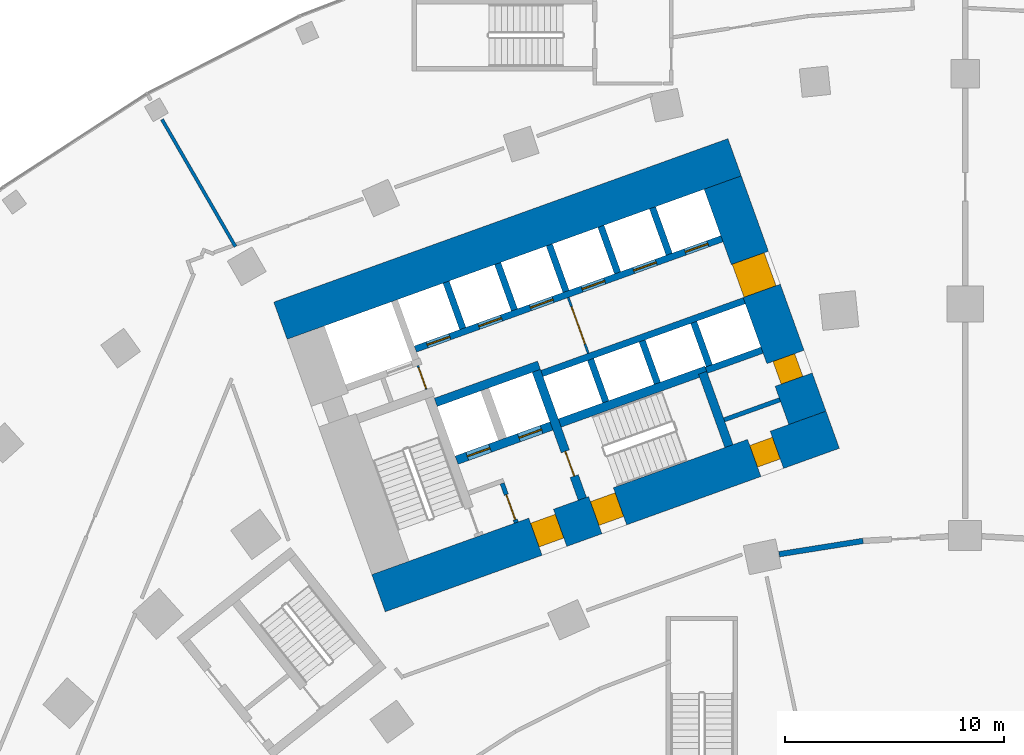
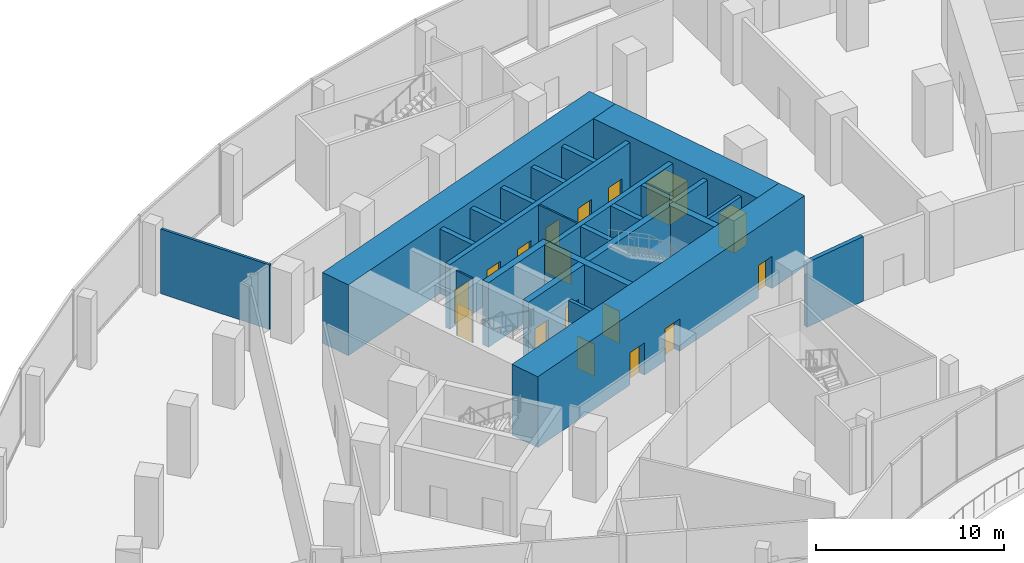
# One storey, part 24 of 39: 24 walls, 17 doors, 17 openings.
"""IFC4 building model written with IfcOpenShell, lengths in metres."""

from ifc_helpers import new_model, si_unit, direction, frame, frame_2d, origin, place, context, subcontext, project, spatial, rectangle, extrude, material, layer, layer_set, type_object, element, fill, save


model = new_model("IFC4")

# Units and contexts
model_context = context("Model", 3, precision=1e-05, world=origin(), true_north=direction((0.0, 1.0)))
body_context = subcontext(model_context, "Body", "Model", "MODEL_VIEW")
ifc_project = project(units=[si_unit("LENGTHUNIT", "METRE"), si_unit("AREAUNIT", "SQUARE_METRE"), si_unit("VOLUMEUNIT", "CUBIC_METRE"), si_unit("PLANEANGLEUNIT", "RADIAN"), si_unit("MASSUNIT", "GRAM", prefix="KILO")], contexts=[model_context])

# Site, building, storey
site_placement = place(None, origin())
site = spatial("IfcSite", under=ifc_project, at=site_placement, CompositionType="ELEMENT")
building_placement = place(site_placement, origin())
building = spatial("IfcBuilding", under=site, at=building_placement, Name="Stone Belt Terrace Tower", CompositionType="ELEMENT")
storey_placement = place(building_placement, frame((0.0, 0.0, 20.800048828125)))
storey = spatial("IfcBuildingStorey", under=building, at=storey_placement, Name="L04", CompositionType="ELEMENT", Elevation=20.800048828125)

# Wall, opening, door
ifc_material_1 = material(Name="Plasterboard partition")
ifc_layer_1 = layer(ifc_material_1, 0.10009765625)
ifc_layer_set_1 = layer_set([ifc_layer_1], Name="Core partition 100")
wall_type_1 = type_object("IfcWallType", Name="Core partition 100", PredefinedType="PARTITIONING", material=ifc_layer_set_1)
wall_1_placement = place(storey_placement, frame((-24.555908203125, 51.10400390625, 0.0), z_axis=(0.0, 0.0, 1.0), x_axis=(-0.338621735342, 0.94092258999, 0.0)))
wall_1 = element("IfcWall", 1, at=wall_1_placement, inside=storey, type_object=wall_type_1, Name="Core A wall", PredefinedType="PARTITIONING", context=body_context, shape_type="SweptSolid", body=[
    extrude(rectangle(XDim=1.14990234375, YDim=0.10009765625, at=frame_2d((0.574951171875, 0.0))), origin(), (0.0, 0.0, 1.0), 4.199951171875),
])
opening_1_placement = place(wall_1_placement, frame((0.050048828125, 0.0, 0.0)))
opening_1 = element("IfcOpeningElement", 2, at=opening_1_placement, cuts=wall_1, Name="Opening L04-C02", PredefinedType="OPENING", context=body_context, shape_type="SweptSolid", body=[
    extrude(rectangle(XDim=1.0, YDim=2.10009765625, at=frame_2d((0.5, 1.050048828125))), frame((0.0, 0.06005859375, 0.0), z_axis=(0.0, -1.0, 0.0), x_axis=(1.0, 0.0, 0.0)), (0.0, 0.0, 1.0), 0.1201171875),
])
ifc_material_2 = material(Name="Timber door leaf", Category="wood")
door_type_1 = type_object("IfcDoorType", Name="Core room door 1000", OperationType="SINGLE_SWING_LEFT", PredefinedType="DOOR", material=ifc_material_2)
door_1_placement = place(opening_1_placement, origin())
door_1 = element("IfcDoor", 3, at=door_1_placement, inside=storey, type_object=door_type_1, Name="Service lift lobby door core A", OperationType="SINGLE_SWING_LEFT", OverallHeight=2.10009765625, OverallWidth=1.0, PredefinedType="DOOR", context=body_context, shape_type="SweptSolid", body=[
    extrude(rectangle(XDim=1.0, YDim=2.10009765625, at=frame_2d((0.5, 1.050048828125))), frame((0.0, 0.02490234375, 0.0), z_axis=(0.0, -1.0, 0.0), x_axis=(1.0, 0.0, 0.0)), (0.0, 0.0, 1.0), 0.050048828125),
])
fill(opening_1, door_1)

wall_2_placement = place(storey_placement, frame((-17.17724609375, 52.749755859375, 0.0), z_axis=(0.0, 0.0, 1.0), x_axis=(-0.338546555931, 0.940949642365, 0.0)))
wall_2 = element("IfcWall", 4, at=wall_2_placement, inside=storey, type_object=wall_type_1, Name="Core A wall", PredefinedType="PARTITIONING", context=body_context, shape_type="SweptSolid", body=[
    extrude(rectangle(XDim=2.699951171875, YDim=0.10009765625, at=frame_2d((1.35009765625, 0.0))), origin(), (0.0, 0.0, 1.0), 4.199951171875),
])
opening_2_placement = place(wall_2_placement, frame((0.449951171875, 0.0, 0.0)))
opening_2 = element("IfcOpeningElement", 5, at=opening_2_placement, cuts=wall_2, Name="Opening L04-C03", PredefinedType="OPENING", context=body_context, shape_type="SweptSolid", body=[
    extrude(rectangle(XDim=1.800048828125, YDim=2.10009765625, at=frame_2d((0.89990234375, 1.050048828125))), frame((0.0, 0.06005859375, 0.0), z_axis=(0.0, -1.0, 0.0), x_axis=(1.0, 0.0, 0.0)), (0.0, 0.0, 1.0), 0.1201171875),
])
ifc_material_3 = material(Name="Glazed aluminium door leaf", Category="aluminium")
door_type_2 = type_object("IfcDoorType", Name="Lift lobby entrance door 1800", OperationType="DOUBLE_DOOR_SINGLE_SWING", PredefinedType="DOOR", material=ifc_material_3)
door_2_placement = place(opening_2_placement, origin())
door_2 = element("IfcDoor", 6, at=door_2_placement, inside=storey, type_object=door_type_2, Name="Lift lobby double door core A", OperationType="DOUBLE_DOOR_SINGLE_SWING", OverallHeight=2.10009765625, OverallWidth=1.800048828125, PredefinedType="DOOR", context=body_context, shape_type="SweptSolid", body=[
    extrude(rectangle(XDim=1.800048828125, YDim=2.10009765625, at=frame_2d((0.89990234375, 1.050048828125))), frame((0.0, 0.02490234375, 0.0), z_axis=(0.0, -1.0, 0.0), x_axis=(1.0, 0.0, 0.0)), (0.0, 0.0, 1.0), 0.050048828125),
])
fill(opening_2, door_2)

# Wall, openings, doors
ifc_material_4 = material(Name="Concrete B80", Category="concrete")
ifc_layer_2 = layer(ifc_material_4, 1.800048828125)
ifc_layer_set_2 = layer_set([ifc_layer_2], Name="Core wall 1800 B80")
wall_type_2 = type_object("IfcWallType", Name="Core wall 1800 B80", PredefinedType="SHEAR", material=ifc_layer_set_2)
wall_3_placement = place(storey_placement, frame((-26.739501953125, 41.815673828125, 0.0), z_axis=(0.0, 0.0, 1.0), x_axis=(0.940921642213, 0.338624368902, 0.0)))
wall_3 = element("IfcWall", 7, at=wall_3_placement, inside=storey, type_object=wall_type_2, Name="Core A wall concave L04", PredefinedType="SHEAR", context=body_context, shape_type="SweptSolid", body=[
    extrude(rectangle(XDim=22.0, YDim=1.800048828125, at=frame_2d((11.0, 0.0))), origin(), (0.0, 0.0, 1.0), 4.599853515625),
])
opening_3_placement = place(wall_3_placement, frame((7.60009765625, 0.0, 0.0)))
opening_3 = element("IfcOpeningElement", 8, at=opening_3_placement, cuts=wall_3, Name="Opening L04-C07", PredefinedType="OPENING", context=body_context, shape_type="SweptSolid", body=[
    extrude(rectangle(XDim=1.199951171875, YDim=2.10009765625, at=frame_2d((0.60009765625, 1.050048828125))), frame((0.0, 0.909912109375, 0.0), z_axis=(0.0, -1.0, 0.0), x_axis=(1.0, 0.0, 0.0)), (0.0, 0.0, 1.0), 1.820068359375),
])
opening_4_placement = place(wall_3_placement, frame((10.5, 0.0, 0.0)))
opening_4 = element("IfcOpeningElement", 9, at=opening_4_placement, cuts=wall_3, Name="Opening L04-C09", PredefinedType="OPENING", context=body_context, shape_type="SweptSolid", body=[
    extrude(rectangle(XDim=1.199951171875, YDim=2.10009765625, at=frame_2d((0.60009765625, 1.050048828125))), frame((0.0, 0.909912109375, 0.0), z_axis=(0.0, -1.0, 0.0), x_axis=(1.0, 0.0, 0.0)), (0.0, 0.0, 1.0), 1.820068359375),
])
opening_5_placement = place(wall_3_placement, frame((18.199951171875, 0.0, 0.0)))
opening_5 = element("IfcOpeningElement", 10, at=opening_5_placement, cuts=wall_3, Name="Opening L04-C11", PredefinedType="OPENING", context=body_context, shape_type="SweptSolid", body=[
    extrude(rectangle(XDim=1.10009765625, YDim=2.10009765625, at=frame_2d((0.550048828125, 1.050048828125))), frame((0.0, 0.909912109375, 0.0), z_axis=(0.0, -1.0, 0.0), x_axis=(1.0, 0.0, 0.0)), (0.0, 0.0, 1.0), 1.820068359375),
])
door_type_3 = type_object("IfcDoorType", Name="Core room door 1100", OperationType="SINGLE_SWING_LEFT", PredefinedType="DOOR", material=ifc_material_2)
door_3_placement = place(opening_5_placement, origin())
door_3 = element("IfcDoor", 11, at=door_3_placement, inside=storey, type_object=door_type_3, Name="Door to Pipe riser core A", OperationType="SINGLE_SWING_LEFT", OverallHeight=2.10009765625, OverallWidth=1.10009765625, PredefinedType="DOOR", context=body_context, shape_type="SweptSolid", body=[
    extrude(rectangle(XDim=1.10009765625, YDim=2.10009765625, at=frame_2d((0.550048828125, 1.050048828125))), frame((0.0, 0.60498046875, 0.0), z_axis=(0.0, -1.0, 0.0), x_axis=(1.0, 0.0, 0.0)), (0.0, 0.0, 1.0), 1.050048828125),
])
fill(opening_5, door_3)
ifc_material_5 = material(Name="Steel door leaf", Category="steel")
door_type_4 = type_object("IfcDoorType", Name="Fire-fighting lobby door 1200", OperationType="SINGLE_SWING_LEFT", PredefinedType="DOOR", material=ifc_material_5)
door_4_placement = place(opening_3_placement, origin())
door_4 = element("IfcDoor", 12, at=door_4_placement, inside=storey, type_object=door_type_4, Name="Fire-fighting lobby door core A", OperationType="SINGLE_SWING_LEFT", OverallHeight=2.10009765625, OverallWidth=1.199951171875, PredefinedType="DOOR", context=body_context, shape_type="SweptSolid", body=[
    extrude(rectangle(XDim=1.199951171875, YDim=2.10009765625, at=frame_2d((0.60009765625, 1.050048828125))), frame((0.0, 0.655029296875, 0.0), z_axis=(0.0, -1.0, 0.0), x_axis=(1.0, 0.0, 0.0)), (0.0, 0.0, 1.0), 1.14990234375),
])
fill(opening_3, door_4)
door_type_5 = type_object("IfcDoorType", Name="Stair door 1200", OperationType="SINGLE_SWING_LEFT", PredefinedType="DOOR", material=ifc_material_5)
door_5_placement = place(opening_4_placement, origin())
door_5 = element("IfcDoor", 13, at=door_5_placement, inside=storey, type_object=door_type_5, Name="Stair 2 exit door core A", OperationType="SINGLE_SWING_RIGHT", OverallHeight=2.10009765625, OverallWidth=1.199951171875, PredefinedType="DOOR", context=body_context, shape_type="SweptSolid", body=[
    extrude(rectangle(XDim=1.199951171875, YDim=2.10009765625, at=frame_2d((0.60009765625, 1.050048828125))), frame((0.0, 0.655029296875, 0.0), z_axis=(0.0, -1.0, 0.0), x_axis=(1.0, 0.0, 0.0)), (0.0, 0.0, 1.0), 1.14990234375),
])
fill(opening_4, door_5)

# Wall
wall_4_placement = place(storey_placement, frame((-31.20947265625, 54.23583984375, 0.0), z_axis=(0.0, 0.0, 1.0), x_axis=(0.940922914687, 0.338620833112, 0.0)))
element("IfcWall", 14, at=wall_4_placement, inside=storey, type_object=wall_type_2, Name="Core A wall convex L04", PredefinedType="SHEAR", context=body_context, shape_type="SweptSolid", body=[
    extrude(rectangle(XDim=22.000244140625, YDim=1.800048828125, at=frame_2d((11.0, 0.0))), origin(), (0.0, 0.0, 1.0), 4.599853515625),
])

# Wall, openings, doors
wall_5_placement = place(storey_placement, frame((-7.19091796875, 49.8076171875, 0.0), z_axis=(0.0, 0.0, 1.0), x_axis=(-0.338632255135, 0.940918804033, 0.0)))
wall_5 = element("IfcWall", 15, at=wall_5_placement, inside=storey, type_object=wall_type_2, Name="Core A wall end_b L04", PredefinedType="SHEAR", context=body_context, shape_type="SweptSolid", body=[
    extrude(rectangle(XDim=11.39990234375, YDim=1.800048828125, at=frame_2d((5.699951171875, 0.0))), origin(), (0.0, 0.0, 1.0), 4.599853515625),
])
opening_6_placement = place(wall_5_placement, frame((6.14990234375, 0.0, 0.0)))
opening_6 = element("IfcOpeningElement", 16, at=opening_6_placement, cuts=wall_5, Name="Opening L04-C04", PredefinedType="OPENING", context=body_context, shape_type="SweptSolid", body=[
    extrude(rectangle(XDim=1.60009765625, YDim=2.10009765625, at=frame_2d((0.800048828125, 1.050048828125))), frame((0.0, 0.909912109375, 0.0), z_axis=(0.0, -1.0, 0.0), x_axis=(1.0, 0.0, 0.0)), (0.0, 0.0, 1.0), 1.820068359375),
])
opening_7_placement = place(wall_5_placement, frame((1.85009765625, 0.0, 0.0)))
opening_7 = element("IfcOpeningElement", 17, at=opening_7_placement, cuts=wall_5, Name="Opening L04-C10", PredefinedType="OPENING", context=body_context, shape_type="SweptSolid", body=[
    extrude(rectangle(XDim=1.10009765625, YDim=2.10009765625, at=frame_2d((0.550048828125, 1.050048828125))), frame((0.0, 0.909912109375, 0.0), z_axis=(0.0, -1.0, 0.0), x_axis=(1.0, 0.0, 0.0)), (0.0, 0.0, 1.0), 1.820068359375),
])
door_6_placement = place(opening_7_placement, origin())
door_6 = element("IfcDoor", 18, at=door_6_placement, inside=storey, type_object=door_type_3, Name="Door to Accessible WC core A", OperationType="SINGLE_SWING_RIGHT", OverallHeight=2.10009765625, OverallWidth=1.10009765625, PredefinedType="DOOR", context=body_context, shape_type="SweptSolid", body=[
    extrude(rectangle(XDim=1.10009765625, YDim=2.10009765625, at=frame_2d((0.550048828125, 1.050048828125))), frame((0.0, 0.60498046875, 0.0), z_axis=(0.0, -1.0, 0.0), x_axis=(1.0, 0.0, 0.0)), (0.0, 0.0, 1.0), 1.050048828125),
])
fill(opening_7, door_6)
door_type_6 = type_object("IfcDoorType", Name="Lift lobby entrance door 1600", OperationType="DOUBLE_DOOR_SINGLE_SWING", PredefinedType="DOOR", material=ifc_material_3)
door_7_placement = place(opening_6_placement, origin())
door_7 = element("IfcDoor", 19, at=door_7_placement, inside=storey, type_object=door_type_6, Name="Lift lobby entrance door core A", OperationType="DOUBLE_DOOR_SINGLE_SWING", OverallHeight=2.10009765625, OverallWidth=1.60009765625, PredefinedType="DOOR", context=body_context, shape_type="SweptSolid", body=[
    extrude(rectangle(XDim=1.60009765625, YDim=2.10009765625, at=frame_2d((0.800048828125, 1.050048828125))), frame((0.0, 0.85498046875, 0.0), z_axis=(0.0, -1.0, 0.0), x_axis=(1.0, 0.0, 0.0)), (0.0, 0.0, 1.0), 1.550048828125),
])
fill(opening_6, door_7)

# Walls
ifc_layer_3 = layer(ifc_material_4, 0.39990234375)
ifc_layer_set_3 = layer_set([ifc_layer_3], Name="Fire-fighting lift shaft wall 400")
wall_type_3 = type_object("IfcWallType", Name="Fire-fighting lift shaft wall 400", PredefinedType="SHEAR", material=ifc_layer_set_3)
wall_6_placement = place(storey_placement, frame((-24.130615234375, 50.512939453125, 0.0), z_axis=(0.0, 0.0, 1.0), x_axis=(0.94091168377, 0.338652038744, 0.0)))
element("IfcWall", 20, at=wall_6_placement, inside=storey, type_object=wall_type_3, Name="Core A wall", PredefinedType="SHEAR", context=body_context, shape_type="SweptSolid", body=[
    extrude(rectangle(XDim=5.000244140625, YDim=0.39990234375, at=frame_2d((2.5, 0.0))), origin(), (0.0, 0.0, 1.0), 4.199951171875),
])
ifc_material_6 = material(Name="Fire-resistant glazing in steel frame", Category="steel")
ifc_layer_4 = layer(ifc_material_6, 0.25)
ifc_layer_set_4 = layer_set([ifc_layer_4], Name="Glazed compartment fire screen 250")
wall_type_4 = type_object("IfcWallType", Name="Glazed compartment fire screen 250", PredefinedType="PARTITIONING", material=ifc_layer_set_4)
wall_7_placement = place(storey_placement, frame((-8.4794921875, 43.5908203125, 0.0), z_axis=(0.0, 0.0, 1.0), x_axis=(0.98758230791, 0.157102466888, 0.0)))
element("IfcWall", 21, at=wall_7_placement, inside=storey, type_object=wall_type_4, Name="Compartment fire screen L04 2", PredefinedType="PARTITIONING", context=body_context, shape_type="SweptSolid", body=[
    extrude(rectangle(XDim=3.87109375, YDim=0.25, at=frame_2d((1.935546875, 0.0))), origin(), (0.0, 0.0, 1.0), 4.199951171875),
])

# Wall, openings, doors
ifc_layer_5 = layer(ifc_material_4, 0.300048828125)
ifc_layer_set_5 = layer_set([ifc_layer_5], Name="Lift shaft wall 300")
wall_type_5 = type_object("IfcWallType", Name="Lift shaft wall 300", PredefinedType="SHEAR", material=ifc_layer_set_5)
wall_8_placement = place(storey_placement, frame((-25.05810546875, 52.9423828125, 0.0), z_axis=(0.0, 0.0, 1.0), x_axis=(0.940918215764, 0.338633889685, 0.0)))
wall_8 = element("IfcWall", 22, at=wall_8_placement, inside=storey, type_object=wall_type_5, Name="Core A wall", PredefinedType="SHEAR", context=body_context, shape_type="SweptSolid", body=[
    extrude(rectangle(XDim=14.850341796875, YDim=0.300048828125, at=frame_2d((7.42529296875, 0.0))), origin(), (0.0, 0.0, 1.0), 4.199951171875),
])
opening_8_placement = place(wall_8_placement, frame((0.570068359375, 0.0, 0.0)))
opening_8 = element("IfcOpeningElement", 23, at=opening_8_placement, cuts=wall_8, Name="Opening L04-LD01", PredefinedType="OPENING", context=body_context, shape_type="SweptSolid", body=[
    extrude(rectangle(XDim=1.10009765625, YDim=2.199951171875, at=frame_2d((0.550048828125, 1.10009765625))), frame((0.0, 0.159912109375, 0.0), z_axis=(0.0, -1.0, 0.0), x_axis=(1.0, 0.0, 0.0)), (0.0, 0.0, 1.0), 0.320068359375),
])
opening_9_placement = place(wall_8_placement, frame((3.070068359375, 0.0, 0.0)))
opening_9 = element("IfcOpeningElement", 24, at=opening_9_placement, cuts=wall_8, Name="Opening L04-LD02", PredefinedType="OPENING", context=body_context, shape_type="SweptSolid", body=[
    extrude(rectangle(XDim=1.10009765625, YDim=2.199951171875, at=frame_2d((0.550048828125, 1.10009765625))), frame((0.0, 0.159912109375, 0.0), z_axis=(0.0, -1.0, 0.0), x_axis=(1.0, 0.0, 0.0)), (0.0, 0.0, 1.0), 0.320068359375),
])
opening_10_placement = place(wall_8_placement, frame((5.570068359375, 0.0, 0.0)))
opening_10 = element("IfcOpeningElement", 25, at=opening_10_placement, cuts=wall_8, Name="Opening L04-LD03", PredefinedType="OPENING", context=body_context, shape_type="SweptSolid", body=[
    extrude(rectangle(XDim=1.10009765625, YDim=2.199951171875, at=frame_2d((0.550048828125, 1.10009765625))), frame((0.0, 0.159912109375, 0.0), z_axis=(0.0, -1.0, 0.0), x_axis=(1.0, 0.0, 0.0)), (0.0, 0.0, 1.0), 0.320068359375),
])
opening_11_placement = place(wall_8_placement, frame((8.070068359375, 0.0, 0.0)))
opening_11 = element("IfcOpeningElement", 26, at=opening_11_placement, cuts=wall_8, Name="Opening L04-LD04", PredefinedType="OPENING", context=body_context, shape_type="SweptSolid", body=[
    extrude(rectangle(XDim=1.10009765625, YDim=2.199951171875, at=frame_2d((0.550048828125, 1.10009765625))), frame((0.0, 0.159912109375, 0.0), z_axis=(0.0, -1.0, 0.0), x_axis=(1.0, 0.0, 0.0)), (0.0, 0.0, 1.0), 0.320068359375),
])
opening_12_placement = place(wall_8_placement, frame((10.570068359375, 0.0, 0.0)))
opening_12 = element("IfcOpeningElement", 27, at=opening_12_placement, cuts=wall_8, Name="Opening L04-LD05", PredefinedType="OPENING", context=body_context, shape_type="SweptSolid", body=[
    extrude(rectangle(XDim=1.10009765625, YDim=2.199951171875, at=frame_2d((0.550048828125, 1.10009765625))), frame((0.0, 0.159912109375, 0.0), z_axis=(0.0, -1.0, 0.0), x_axis=(1.0, 0.0, 0.0)), (0.0, 0.0, 1.0), 0.320068359375),
])
opening_13_placement = place(wall_8_placement, frame((13.070068359375, 0.0, 0.0)))
opening_13 = element("IfcOpeningElement", 28, at=opening_13_placement, cuts=wall_8, Name="Opening L04-LD06", PredefinedType="OPENING", context=body_context, shape_type="SweptSolid", body=[
    extrude(rectangle(XDim=1.10009765625, YDim=2.199951171875, at=frame_2d((0.550048828125, 1.10009765625))), frame((0.0, 0.159912109375, 0.0), z_axis=(0.0, -1.0, 0.0), x_axis=(1.0, 0.0, 0.0)), (0.0, 0.0, 1.0), 0.320068359375),
])
ifc_material_7 = material(Name="Stainless steel door leaf", Category="steel")
door_type_7 = type_object("IfcDoorType", Name="Landing door 1100", OperationType="SLIDING_TO_LEFT", PredefinedType="DOOR", material=ifc_material_7)
door_8_placement = place(opening_8_placement, origin())
door_8 = element("IfcDoor", 29, at=door_8_placement, inside=storey, type_object=door_type_7, Name="Landing door LR1 core A", OperationType="SLIDING_TO_LEFT", OverallHeight=2.199951171875, OverallWidth=1.10009765625, PredefinedType="DOOR", context=body_context, shape_type="SweptSolid", body=[
    extrude(rectangle(XDim=1.10009765625, YDim=2.199951171875, at=frame_2d((0.550048828125, 1.10009765625))), frame((0.0, 0.02490234375, 0.0), z_axis=(0.0, -1.0, 0.0), x_axis=(1.0, 0.0, 0.0)), (0.0, 0.0, 1.0), 0.050048828125),
])
fill(opening_8, door_8)
door_9_placement = place(opening_9_placement, origin())
door_9 = element("IfcDoor", 30, at=door_9_placement, inside=storey, type_object=door_type_7, Name="Landing door LR2 core A", OperationType="SLIDING_TO_LEFT", OverallHeight=2.199951171875, OverallWidth=1.10009765625, PredefinedType="DOOR", context=body_context, shape_type="SweptSolid", body=[
    extrude(rectangle(XDim=1.10009765625, YDim=2.199951171875, at=frame_2d((0.550048828125, 1.10009765625))), frame((0.0, 0.02490234375, 0.0), z_axis=(0.0, -1.0, 0.0), x_axis=(1.0, 0.0, 0.0)), (0.0, 0.0, 1.0), 0.050048828125),
])
fill(opening_9, door_9)
door_10_placement = place(opening_10_placement, origin())
door_10 = element("IfcDoor", 31, at=door_10_placement, inside=storey, type_object=door_type_7, Name="Landing door LR3 core A", OperationType="SLIDING_TO_LEFT", OverallHeight=2.199951171875, OverallWidth=1.10009765625, PredefinedType="DOOR", context=body_context, shape_type="SweptSolid", body=[
    extrude(rectangle(XDim=1.10009765625, YDim=2.199951171875, at=frame_2d((0.550048828125, 1.10009765625))), frame((0.0, 0.02490234375, 0.0), z_axis=(0.0, -1.0, 0.0), x_axis=(1.0, 0.0, 0.0)), (0.0, 0.0, 1.0), 0.050048828125),
])
fill(opening_10, door_10)
door_11_placement = place(opening_11_placement, origin())
door_11 = element("IfcDoor", 32, at=door_11_placement, inside=storey, type_object=door_type_7, Name="Landing door LR4 core A", OperationType="SLIDING_TO_LEFT", OverallHeight=2.199951171875, OverallWidth=1.10009765625, PredefinedType="DOOR", context=body_context, shape_type="SweptSolid", body=[
    extrude(rectangle(XDim=1.10009765625, YDim=2.199951171875, at=frame_2d((0.550048828125, 1.10009765625))), frame((0.0, 0.02490234375, 0.0), z_axis=(0.0, -1.0, 0.0), x_axis=(1.0, 0.0, 0.0)), (0.0, 0.0, 1.0), 0.050048828125),
])
fill(opening_11, door_11)
door_12_placement = place(opening_12_placement, origin())
door_12 = element("IfcDoor", 33, at=door_12_placement, inside=storey, type_object=door_type_7, Name="Landing door LR5 core A", OperationType="SLIDING_TO_LEFT", OverallHeight=2.199951171875, OverallWidth=1.10009765625, PredefinedType="DOOR", context=body_context, shape_type="SweptSolid", body=[
    extrude(rectangle(XDim=1.10009765625, YDim=2.199951171875, at=frame_2d((0.550048828125, 1.10009765625))), frame((0.0, 0.02490234375, 0.0), z_axis=(0.0, -1.0, 0.0), x_axis=(1.0, 0.0, 0.0)), (0.0, 0.0, 1.0), 0.050048828125),
])
fill(opening_12, door_12)
door_13_placement = place(opening_13_placement, origin())
door_13 = element("IfcDoor", 34, at=door_13_placement, inside=storey, type_object=door_type_7, Name="Landing door LR6 core A", OperationType="SLIDING_TO_LEFT", OverallHeight=2.199951171875, OverallWidth=1.10009765625, PredefinedType="DOOR", context=body_context, shape_type="SweptSolid", body=[
    extrude(rectangle(XDim=1.10009765625, YDim=2.199951171875, at=frame_2d((0.550048828125, 1.10009765625))), frame((0.0, 0.02490234375, 0.0), z_axis=(0.0, -1.0, 0.0), x_axis=(1.0, 0.0, 0.0)), (0.0, 0.0, 1.0), 0.050048828125),
])
fill(opening_13, door_13)

# Walls
wall_9_placement = place(storey_placement, frame((-22.897705078125, 53.87939453125, 0.0), z_axis=(0.0, 0.0, 1.0), x_axis=(-0.338535034312, 0.940953787677, 0.0)))
element("IfcWall", 35, at=wall_9_placement, inside=storey, type_object=wall_type_5, Name="Core A wall", PredefinedType="SHEAR", context=body_context, shape_type="SweptSolid", body=[
    extrude(rectangle(XDim=2.25, YDim=0.300048828125, at=frame_2d((1.125, 0.0))), origin(), (0.0, 0.0, 1.0), 4.199951171875),
])
wall_10_placement = place(storey_placement, frame((-19.29052734375, 51.829833984375, 0.0), z_axis=(0.0, 0.0, 1.0), x_axis=(0.940925833398, 0.338612722803, 0.0)))
element("IfcWall", 36, at=wall_10_placement, inside=storey, type_object=wall_type_5, Name="Core A wall", PredefinedType="SHEAR", context=body_context, shape_type="SweptSolid", body=[
    extrude(rectangle(XDim=9.7998046875, YDim=0.300048828125, at=frame_2d((4.89990234375, 0.0))), origin(), (0.0, 0.0, 1.0), 4.199951171875),
])
wall_11_placement = place(storey_placement, frame((-20.54541015625, 54.72607421875, 0.0), z_axis=(0.0, 0.0, 1.0), x_axis=(-0.338569601369, 0.940941350472, 0.0)))
element("IfcWall", 37, at=wall_11_placement, inside=storey, type_object=wall_type_5, Name="Core A wall", PredefinedType="SHEAR", context=body_context, shape_type="SweptSolid", body=[
    extrude(rectangle(XDim=2.249755859375, YDim=0.300048828125, at=frame_2d((1.125, 0.0))), origin(), (0.0, 0.0, 1.0), 4.199951171875),
])
wall_12_placement = place(storey_placement, frame((-16.38134765625, 50.53857421875, 0.0), z_axis=(0.0, 0.0, 1.0), x_axis=(-0.338681515556, 0.940901073982, 0.0)))
element("IfcWall", 38, at=wall_12_placement, inside=storey, type_object=wall_type_5, Name="Core A wall", PredefinedType="SHEAR", context=body_context, shape_type="SweptSolid", body=[
    extrude(rectangle(XDim=2.050048828125, YDim=0.300048828125, at=frame_2d((1.02490234375, 0.0))), origin(), (0.0, 0.0, 1.0), 4.199951171875),
])
wall_13_placement = place(storey_placement, frame((-18.193115234375, 55.572509765625, 0.0), z_axis=(0.0, 0.0, 1.0), x_axis=(-0.338535034312, 0.940953787677, 0.0)))
element("IfcWall", 39, at=wall_13_placement, inside=storey, type_object=wall_type_5, Name="Core A wall", PredefinedType="SHEAR", context=body_context, shape_type="SweptSolid", body=[
    extrude(rectangle(XDim=2.25, YDim=0.300048828125, at=frame_2d((1.125, 0.0))), origin(), (0.0, 0.0, 1.0), 4.199951171875),
])
wall_14_placement = place(storey_placement, frame((-14.029052734375, 51.38525390625, 0.0), z_axis=(0.0, 0.0, 1.0), x_axis=(-0.338681515556, 0.940901073982, 0.0)))
element("IfcWall", 40, at=wall_14_placement, inside=storey, type_object=wall_type_5, Name="Core A wall", PredefinedType="SHEAR", context=body_context, shape_type="SweptSolid", body=[
    extrude(rectangle(XDim=2.050048828125, YDim=0.300048828125, at=frame_2d((1.02490234375, 0.0))), origin(), (0.0, 0.0, 1.0), 4.199951171875),
])
wall_15_placement = place(storey_placement, frame((-15.8408203125, 56.419189453125, 0.0), z_axis=(0.0, 0.0, 1.0), x_axis=(-0.338569601369, 0.940941350472, 0.0)))
element("IfcWall", 41, at=wall_15_placement, inside=storey, type_object=wall_type_5, Name="Core A wall", PredefinedType="SHEAR", context=body_context, shape_type="SweptSolid", body=[
    extrude(rectangle(XDim=2.249755859375, YDim=0.300048828125, at=frame_2d((1.125, 0.0))), origin(), (0.0, 0.0, 1.0), 4.199951171875),
])
wall_16_placement = place(storey_placement, frame((-11.797119140625, 51.975830078125, 0.0), z_axis=(0.0, 0.0, 1.0), x_axis=(0.940910465161, 0.33865542451, 0.0)))
element("IfcWall", 42, at=wall_16_placement, inside=storey, type_object=wall_type_5, Name="Core A wall", PredefinedType="SHEAR", context=body_context, shape_type="SweptSolid", body=[
    extrude(rectangle(XDim=2.69970703125, YDim=0.300048828125, at=frame_2d((1.349853515625, 0.0))), origin(), (0.0, 0.0, 1.0), 4.199951171875),
])
wall_17_placement = place(storey_placement, frame((-11.659912109375, 52.184814453125, 0.0), z_axis=(0.0, 0.0, 1.0), x_axis=(-0.338670064856, 0.940905195634, 0.0)))
element("IfcWall", 43, at=wall_17_placement, inside=storey, type_object=wall_type_5, Name="Core A wall", PredefinedType="SHEAR", context=body_context, shape_type="SweptSolid", body=[
    extrude(rectangle(XDim=2.099853515625, YDim=0.300048828125, at=frame_2d((1.0498046875, 0.0))), origin(), (0.0, 0.0, 1.0), 4.199951171875),
])
wall_18_placement = place(storey_placement, frame((-13.48828125, 57.265625, 0.0), z_axis=(0.0, 0.0, 1.0), x_axis=(-0.338631098537, 0.940919220286, 0.0)))
element("IfcWall", 44, at=wall_18_placement, inside=storey, type_object=wall_type_5, Name="Core A wall", PredefinedType="SHEAR", context=body_context, shape_type="SweptSolid", body=[
    extrude(rectangle(XDim=2.250244140625, YDim=0.300048828125, at=frame_2d((1.125, 0.0))), origin(), (0.0, 0.0, 1.0), 4.199951171875),
])
ifc_material_8 = material(Name="Gypsum board on steel stud partition", Category="steel")
ifc_layer_6 = layer(ifc_material_8, 0.14990234375)
ifc_layer_set_6 = layer_set([ifc_layer_6], Name="Podium partition 150")
wall_type_6 = type_object("IfcWallType", Name="Podium partition 150", PredefinedType="PARTITIONING", material=ifc_layer_set_6)
wall_19_placement = place(storey_placement, frame((-36.6083984375, 63.408935546875, 0.0), z_axis=(0.0, 0.0, 1.0), x_axis=(0.500082469489, -0.865977784767, 0.0)))
element("IfcWall", 45, at=wall_19_placement, inside=storey, type_object=wall_type_6, Name="Podium partition 150", PredefinedType="PARTITIONING", context=body_context, shape_type="SweptSolid", body=[
    extrude(rectangle(XDim=6.691650390625, YDim=0.14990234375, at=frame_2d((3.345703125, 0.0))), origin(), (0.0, 0.0, 1.0), 4.199951171875),
])

# Wall, opening, door
ifc_material_9 = material(Name="Concrete masonry block", Category="masonry")
ifc_layer_7 = layer(ifc_material_9, 0.199951171875)
ifc_layer_set_7 = layer_set([ifc_layer_7], Name="Rated lobby wall 200")
wall_type_7 = type_object("IfcWallType", Name="Rated lobby wall 200", PredefinedType="PARTITIONING", material=ifc_layer_set_7)
wall_20_placement = place(storey_placement, frame((-20.4580078125, 45.032958984375, 0.0), z_axis=(0.0, 0.0, 1.0), x_axis=(-0.338573865316, 0.940939816208, 0.0)))
wall_20 = element("IfcWall", 46, at=wall_20_placement, inside=storey, type_object=wall_type_7, Name="Core A wall", PredefinedType="PARTITIONING", context=body_context, shape_type="SweptSolid", body=[
    extrude(rectangle(XDim=1.900146484375, YDim=0.199951171875, at=frame_2d((0.9501953125, 0.0))), origin(), (0.0, 0.0, 1.0), 4.199951171875),
])
opening_14_placement = place(wall_20_placement, frame((0.14990234375, 0.0, 0.0)))
opening_14 = element("IfcOpeningElement", 47, at=opening_14_placement, cuts=wall_20, Name="Opening L04-C06", PredefinedType="OPENING", context=body_context, shape_type="SweptSolid", body=[
    extrude(rectangle(XDim=1.199951171875, YDim=2.10009765625, at=frame_2d((0.60009765625, 1.050048828125))), frame((0.0, 0.10986328125, 0.0), z_axis=(0.0, -1.0, 0.0), x_axis=(1.0, 0.0, 0.0)), (0.0, 0.0, 1.0), 0.219970703125),
])
door_14_placement = place(opening_14_placement, origin())
door_14 = element("IfcDoor", 48, at=door_14_placement, inside=storey, type_object=door_type_5, Name="Stair airlock door core A", OperationType="SINGLE_SWING_LEFT", OverallHeight=2.10009765625, OverallWidth=1.199951171875, PredefinedType="DOOR", context=body_context, shape_type="SweptSolid", body=[
    extrude(rectangle(XDim=1.199951171875, YDim=2.10009765625, at=frame_2d((0.60009765625, 1.050048828125))), frame((0.0, 0.02490234375, 0.0), z_axis=(0.0, -1.0, 0.0), x_axis=(1.0, 0.0, 0.0)), (0.0, 0.0, 1.0), 0.050048828125),
])
fill(opening_14, door_14)

# Wall
wall_21_placement = place(storey_placement, frame((-10.984619140625, 49.717529296875, 0.0), z_axis=(0.0, 0.0, 1.0), x_axis=(0.940920834877, 0.338626612206, 0.0)))
element("IfcWall", 49, at=wall_21_placement, inside=storey, type_object=wall_type_7, Name="Core A wall", PredefinedType="PARTITIONING", context=body_context, shape_type="SweptSolid", body=[
    extrude(rectangle(XDim=2.699951171875, YDim=0.199951171875, at=frame_2d((1.35009765625, 0.0))), origin(), (0.0, 0.0, 1.0), 4.199951171875),
])

# Wall, openings, doors
ifc_layer_8 = layer(ifc_material_4, 0.39990234375)
ifc_layer_set_8 = layer_set([ifc_layer_8], Name="Stair enclosure wall 400")
wall_type_8 = type_object("IfcWallType", Name="Stair enclosure wall 400", PredefinedType="SHEAR", material=ifc_layer_set_8)
wall_22_placement = place(storey_placement, frame((-23.182373046875, 47.87841796875, 0.0), z_axis=(0.0, 0.0, 1.0), x_axis=(0.940921101762, 0.338625870628, 0.0)))
wall_22 = element("IfcWall", 50, at=wall_22_placement, inside=storey, type_object=wall_type_8, Name="Core A wall", PredefinedType="SHEAR", context=body_context, shape_type="SweptSolid", body=[
    extrude(rectangle(XDim=12.10009765625, YDim=0.39990234375, at=frame_2d((6.050048828125, 0.0))), origin(), (0.0, 0.0, 1.0), 4.199951171875),
])
opening_15_placement = place(wall_22_placement, frame((0.52001953125, 0.0, 0.0)))
opening_15 = element("IfcOpeningElement", 51, at=opening_15_placement, cuts=wall_22, Name="Opening L04-LD07", PredefinedType="OPENING", context=body_context, shape_type="SweptSolid", body=[
    extrude(rectangle(XDim=1.10009765625, YDim=2.199951171875, at=frame_2d((0.550048828125, 1.10009765625))), frame((0.0, 0.2099609375, 0.0), z_axis=(0.0, -1.0, 0.0), x_axis=(1.0, 0.0, 0.0)), (0.0, 0.0, 1.0), 0.419921875),
])
opening_16_placement = place(wall_22_placement, frame((3.02001953125, 0.0, 0.0)))
opening_16 = element("IfcOpeningElement", 52, at=opening_16_placement, cuts=wall_22, Name="Opening L04-LD08", PredefinedType="OPENING", context=body_context, shape_type="SweptSolid", body=[
    extrude(rectangle(XDim=1.10009765625, YDim=2.199951171875, at=frame_2d((0.550048828125, 1.10009765625))), frame((0.0, 0.2099609375, 0.0), z_axis=(0.0, -1.0, 0.0), x_axis=(1.0, 0.0, 0.0)), (0.0, 0.0, 1.0), 0.419921875),
])
door_15_placement = place(opening_15_placement, origin())
door_15 = element("IfcDoor", 53, at=door_15_placement, inside=storey, type_object=door_type_7, Name="Landing door FF1 core A", OperationType="SLIDING_TO_LEFT", OverallHeight=2.199951171875, OverallWidth=1.10009765625, PredefinedType="DOOR", context=body_context, shape_type="SweptSolid", body=[
    extrude(rectangle(XDim=1.10009765625, YDim=2.199951171875, at=frame_2d((0.550048828125, 1.10009765625))), frame((0.0, 0.02490234375, 0.0), z_axis=(0.0, -1.0, 0.0), x_axis=(1.0, 0.0, 0.0)), (0.0, 0.0, 1.0), 0.050048828125),
])
fill(opening_15, door_15)
door_16_placement = place(opening_16_placement, origin())
door_16 = element("IfcDoor", 54, at=door_16_placement, inside=storey, type_object=door_type_7, Name="Landing door FF2 core A", OperationType="SLIDING_TO_LEFT", OverallHeight=2.199951171875, OverallWidth=1.10009765625, PredefinedType="DOOR", context=body_context, shape_type="SweptSolid", body=[
    extrude(rectangle(XDim=1.10009765625, YDim=2.199951171875, at=frame_2d((0.550048828125, 1.10009765625))), frame((0.0, 0.02490234375, 0.0), z_axis=(0.0, -1.0, 0.0), x_axis=(1.0, 0.0, 0.0)), (0.0, 0.0, 1.0), 0.050048828125),
])
fill(opening_16, door_16)

# Wall, opening, door
wall_23_placement = place(storey_placement, frame((-17.447021484375, 46.116455078125, 0.0), z_axis=(0.0, 0.0, 1.0), x_axis=(-0.33860791464, 0.940927563707, 0.0)))
wall_23 = element("IfcWall", 55, at=wall_23_placement, inside=storey, type_object=wall_type_8, Name="Core A wall", PredefinedType="SHEAR", context=body_context, shape_type="SweptSolid", body=[
    extrude(rectangle(XDim=6.199951171875, YDim=0.39990234375, at=frame_2d((3.10009765625, 0.0))), origin(), (0.0, 0.0, 1.0), 4.199951171875),
])
opening_17_placement = place(wall_23_placement, frame((1.10009765625, 0.0, 0.0)))
opening_17 = element("IfcOpeningElement", 56, at=opening_17_placement, cuts=wall_23, Name="Opening L04-C08", PredefinedType="OPENING", context=body_context, shape_type="SweptSolid", body=[
    extrude(rectangle(XDim=1.199951171875, YDim=2.10009765625, at=frame_2d((0.60009765625, 1.050048828125))), frame((0.0, 0.2099609375, 0.0), z_axis=(0.0, -1.0, 0.0), x_axis=(1.0, 0.0, 0.0)), (0.0, 0.0, 1.0), 0.419921875),
])
door_17_placement = place(opening_17_placement, origin())
door_17 = element("IfcDoor", 57, at=door_17_placement, inside=storey, type_object=door_type_5, Name="Stair 2 door core A", OperationType="SINGLE_SWING_LEFT", OverallHeight=2.10009765625, OverallWidth=1.199951171875, PredefinedType="DOOR", context=body_context, shape_type="SweptSolid", body=[
    extrude(rectangle(XDim=1.199951171875, YDim=2.10009765625, at=frame_2d((0.60009765625, 1.050048828125))), frame((0.0, 0.02490234375, 0.0), z_axis=(0.0, -1.0, 0.0), x_axis=(1.0, 0.0, 0.0)), (0.0, 0.0, 1.0), 0.050048828125),
])
fill(opening_17, door_17)

# Wall
wall_24_placement = place(storey_placement, frame((-10.766357421875, 48.520751953125, 0.0), z_axis=(0.0, 0.0, 1.0), x_axis=(-0.338626928157, 0.94092072117, 0.0)))
element("IfcWall", 58, at=wall_24_placement, inside=storey, type_object=wall_type_8, Name="Core A wall", PredefinedType="SHEAR", context=body_context, shape_type="SweptSolid", body=[
    extrude(rectangle(XDim=3.550048828125, YDim=0.39990234375, at=frame_2d((1.77490234375, 0.0))), origin(), (0.0, 0.0, 1.0), 4.199951171875),
])

save(model, "model.ifc")
